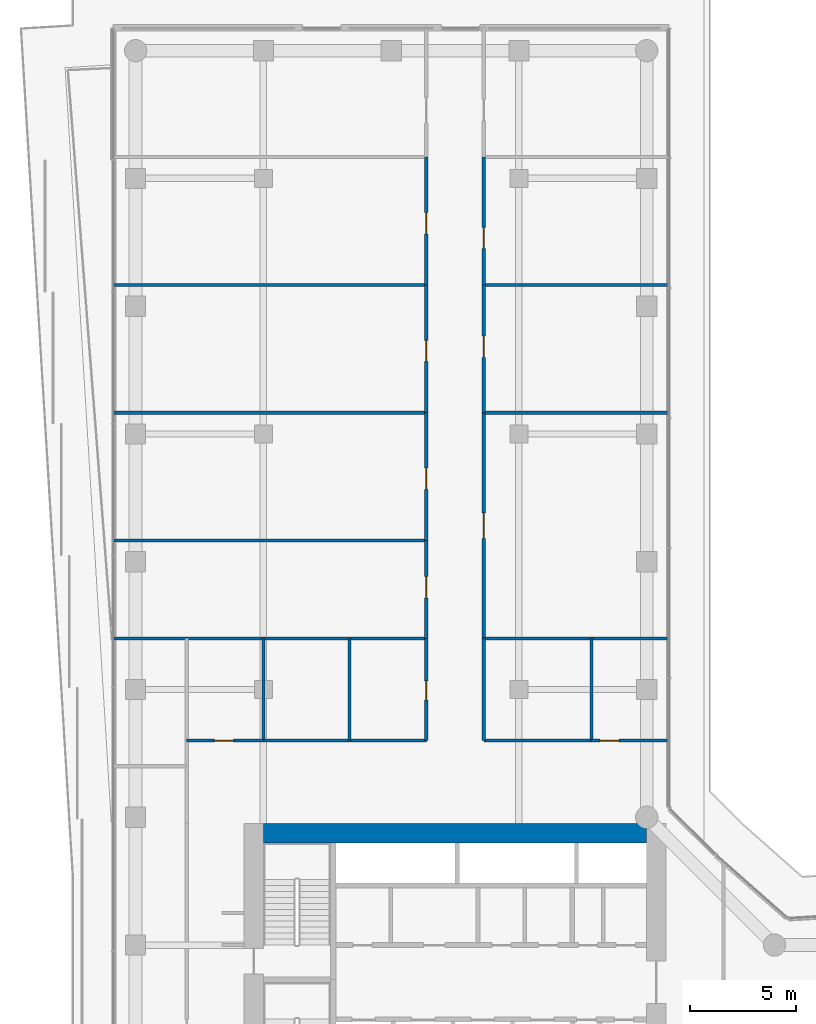
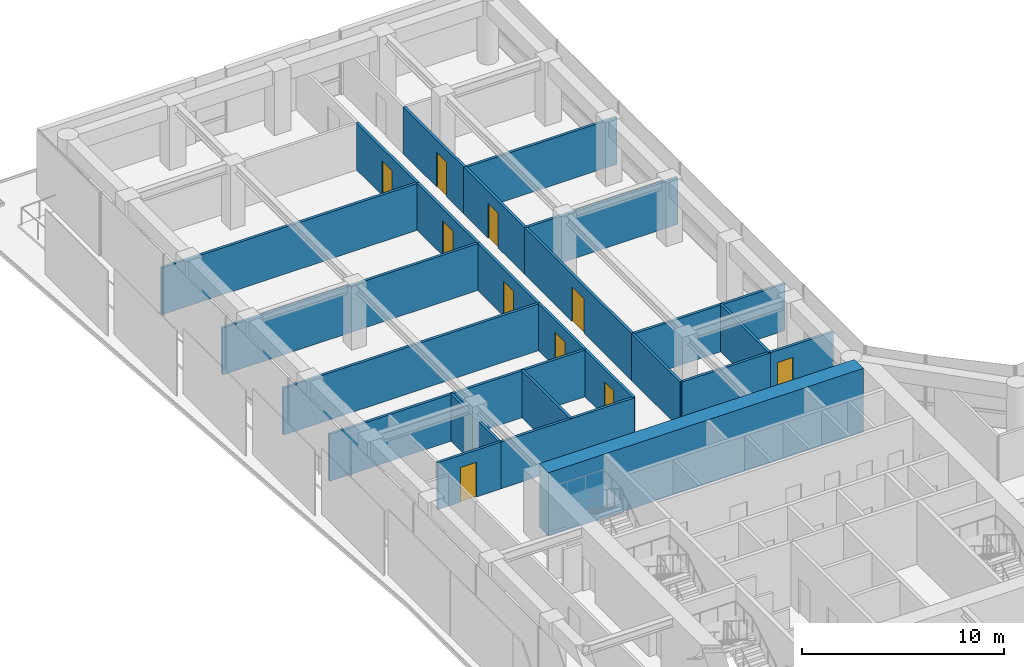
# One storey, part 25 of 29: 24 walls, 10 doors, 10 openings.
"""IFC4 building model written with IfcOpenShell, lengths in metres."""

import ifcopenshell
import ifcopenshell.guid

model = None  # the IFC model being written
_history = None  # IfcOwnerHistory: only IFC2X3 demands one
_inside = {}  # id of a spatial element -> (the spatial element, [elements in it])
_under = {}  # id of a project, library or spatial element -> (it, [spatial elements below it])
_declared = {}  # id of a project -> (the project, [libraries it declares])
_typed = {}  # id of a type object -> (the type object, [elements of that type])
_made_of = {}  # id of a material, layer set ... -> (it, [elements and type objects made of it])


def new_model(schema):
    """Start an empty IFC model of exactly this schema.

    Asked for "IFC4X3", IfcOpenShell would pick the latest addendum, in which some entities
    have other attributes; the version numbers below select the first issue.
    IFC2X3 requires an IfcOwnerHistory on every rooted entity: one is made here for all.
    """
    global model, _history
    if schema == "IFC4X3":
        model = ifcopenshell.file(schema_version=(4, 3, 0, 0))
    else:
        model = ifcopenshell.file(schema=schema)
    _inside.clear()
    _under.clear()
    _declared.clear()
    _typed.clear()
    _made_of.clear()
    _history = None
    if model.schema == "IFC2X3":
        org = make("IfcOrganization", Name="unknown")
        user = make(
            "IfcPersonAndOrganization",
            ThePerson=make("IfcPerson", FamilyName="unknown"),
            TheOrganization=org,
        )
        app = make(
            "IfcApplication",
            ApplicationDeveloper=org,
            Version="unknown",
            ApplicationFullName="unknown",
            ApplicationIdentifier="unknown",
        )
        _history = make(
            "IfcOwnerHistory",
            OwningUser=user,
            OwningApplication=app,
            ChangeAction="ADDED",
            CreationDate=0,
        )
    return model


def make(cls, **values):
    """One entity of the class cls with the attributes given. An attribute that is None is left unset."""
    return model.create_entity(
        cls, **{name: value for name, value in values.items() if value is not None}
    )


def rooted(cls, **values):
    """An entity with a GlobalId (a new one), such as an element, a storey or a relation."""
    return make(cls, GlobalId=ifcopenshell.guid.new(), OwnerHistory=_history, **values)


def si_unit(unit_type, name, prefix=None):
    """IfcSIUnit, for example si_unit("LENGTHUNIT", "METRE", prefix="MILLI")."""
    return make("IfcSIUnit", UnitType=unit_type, Prefix=prefix, Name=name)


def assignment(units):
    """IfcUnitAssignment: the units of a project."""
    return None if units is None else make("IfcUnitAssignment", Units=units)


def point(xyz):
    """IfcCartesianPoint."""
    return None if xyz is None else make("IfcCartesianPoint", Coordinates=xyz)


def direction(xyz):
    """IfcDirection."""
    return None if xyz is None else make("IfcDirection", DirectionRatios=xyz)


def frame(location, z_axis=None, x_axis=None):
    """IfcAxis2Placement3D, a coordinate frame: its origin and axes. An axis left out is left unset."""
    return make(
        "IfcAxis2Placement3D",
        Location=point(location),
        Axis=direction(z_axis),
        RefDirection=direction(x_axis),
    )


def frame_2d(location, x_axis=None):
    """IfcAxis2Placement2D, a coordinate frame in the plane: its origin and x axis."""
    return make(
        "IfcAxis2Placement2D", Location=point(location), RefDirection=direction(x_axis)
    )


def origin():
    """The frame at (0, 0, 0) with its axes left unset."""
    return frame((0.0, 0.0, 0.0))


def place(relative_to, where):
    """IfcLocalPlacement: puts the frame where relative to a parent placement (None: the world)."""
    return make(
        "IfcLocalPlacement", PlacementRelTo=relative_to, RelativePlacement=where
    )


def context(
    kind, dimensions, precision=None, world=None, true_north=None, identifier=None
):
    """IfcGeometricRepresentationContext, for example the 3D "Model" context."""
    return make(
        "IfcGeometricRepresentationContext",
        ContextIdentifier=identifier,
        ContextType=kind,
        CoordinateSpaceDimension=dimensions,
        Precision=precision,
        WorldCoordinateSystem=world,
        TrueNorth=true_north,
    )


def subcontext(parent, identifier, kind, view, scale=None):
    """IfcGeometricRepresentationSubContext, for example "Body" below "Model"."""
    return make(
        "IfcGeometricRepresentationSubContext",
        ContextIdentifier=identifier,
        ContextType=kind,
        ParentContext=parent,
        TargetScale=scale,
        TargetView=view,
    )


def project(units=None, contexts=None):
    """IfcProject with its units and contexts."""
    return rooted(
        "IfcProject",
        Name="project",
        RepresentationContexts=contexts,
        UnitsInContext=assignment(units),
    )


def spatial(cls, under=None, at=None, **own):
    """A site, building, storey or space (cls), placed at a placement, below another one or the project."""
    s = rooted(cls, ObjectPlacement=at, **own)
    if under is not None:
        _under.setdefault(under.id(), (under, []))[1].append(s)
    return s


def profile(cls, at=None, kind="AREA", **sizes):
    """A parametric profile (cls). Its sizes go by their IFC names, for example OverallWidth=200.0."""
    return make(cls, ProfileType=kind, Position=at, **sizes)


def rectangle(**sizes):
    """IfcRectangleProfileDef."""
    return profile("IfcRectangleProfileDef", **sizes)


def extrude(swept, where, along, depth):
    """IfcExtrudedAreaSolid: the profile swept, set in the frame where, extruded along a direction by depth."""
    return make(
        "IfcExtrudedAreaSolid",
        SweptArea=swept,
        Position=where,
        ExtrudedDirection=direction(along),
        Depth=depth,
    )


def shape(context_of_items, identifier, shape_type, items):
    """IfcShapeRepresentation: the items that make up one representation, for example the "Body"."""
    return make(
        "IfcShapeRepresentation",
        ContextOfItems=context_of_items,
        RepresentationIdentifier=identifier,
        RepresentationType=shape_type,
        Items=items,
    )


def material(Name=None, Category=None):
    """IfcMaterial."""
    return make("IfcMaterial", Name=Name, Category=Category)


def layer(
    of_material, thickness, ventilated=None, Name=None, Category=None, Priority=None
):
    """IfcMaterialLayer: one layer of a wall or slab, of a material (None: an air gap)."""
    return make(
        "IfcMaterialLayer",
        Material=of_material,
        LayerThickness=thickness,
        IsVentilated=ventilated,
        Name=Name,
        Category=Category,
        Priority=Priority,
    )


def layer_set(layers, Name=None):
    """IfcMaterialLayerSet."""
    return make("IfcMaterialLayerSet", MaterialLayers=layers, LayerSetName=Name)


def made_of(thing, what):
    """Note that an element or type object is made of a material, layer set ...; save() writes the relation."""
    if what is not None:
        _made_of.setdefault(what.id(), (what, []))[1].append(thing)
    return thing


def type_object(cls, material=None, **own):
    """A type object (cls), such as IfcWallType, which elements share."""
    return made_of(rooted(cls, **own), material)


def element(
    cls,
    number,
    at=None,
    inside=None,
    cuts=None,
    type_object=None,
    material=None,
    context=None,
    identifier="Body",
    shape_type=None,
    held_by="IfcProductDefinitionShape",
    body=None,
    shapes=None,
    **own,
):
    """One element of the class cls, such as IfcWall. Its Tag is "e" and its number.

    at: its placement. inside: the storey or other place that contains it. cuts: it is an
    opening in that element (IfcRelVoidsElement). A single representation is given by context,
    identifier, shape_type and body (its items); several are given by shapes. held_by: the class
    of the entity that holds the representations. save() writes the other relations.
    """
    e = rooted(cls, Tag="e%d" % number, ObjectPlacement=at, **own)
    if body is not None:
        shapes = [shape(context, identifier, shape_type, body)]
    if shapes is not None:
        e.Representation = make(held_by, Representations=shapes)
    if inside is not None:
        _inside.setdefault(inside.id(), (inside, []))[1].append(e)
    if cuts is not None:
        rooted(
            "IfcRelVoidsElement", RelatingBuildingElement=cuts, RelatedOpeningElement=e
        )
    if type_object is not None:
        _typed.setdefault(type_object.id(), (type_object, []))[1].append(e)
    return made_of(e, material)


def fill(opening, filler):
    """IfcRelFillsElement: the door or window that sits in an opening."""
    return rooted(
        "IfcRelFillsElement",
        RelatingOpeningElement=opening,
        RelatedBuildingElement=filler,
    )


def aggregate(whole, parts):
    """IfcRelAggregates: a whole, such as a stair, and the parts it consists of."""
    return rooted("IfcRelAggregates", RelatingObject=whole, RelatedObjects=parts)


def save(model, path):
    """Write the relations noted so far, then the file.

    IfcRelAggregates (storeys below a building ...), IfcRelContainedInSpatialStructure (elements
    in a storey), IfcRelDefinesByType, IfcRelAssociatesMaterial and IfcRelDeclares: one each for
    every whole, place, type object, material and project.
    """
    for whole, parts in _under.values():
        aggregate(whole, parts)
    for where, things in _inside.values():
        rooted(
            "IfcRelContainedInSpatialStructure",
            RelatedElements=things,
            RelatingStructure=where,
        )
    for kind, things in _typed.values():
        rooted("IfcRelDefinesByType", RelatedObjects=things, RelatingType=kind)
    for what, things in _made_of.values():
        rooted("IfcRelAssociatesMaterial", RelatedObjects=things, RelatingMaterial=what)
    for by, libraries in _declared.values():
        rooted("IfcRelDeclares", RelatingContext=by, RelatedDefinitions=libraries)
    model.write(path)


model = new_model("IFC4")

# Units and contexts
model_context = context("Model", 3, precision=1e-05, world=origin(), true_north=direction((0.0, 1.0)))
body_context = subcontext(model_context, "Body", "Model", "MODEL_VIEW")
ifc_project = project(units=[si_unit("LENGTHUNIT", "METRE"), si_unit("AREAUNIT", "SQUARE_METRE"), si_unit("VOLUMEUNIT", "CUBIC_METRE"), si_unit("PLANEANGLEUNIT", "RADIAN"), si_unit("MASSUNIT", "GRAM", prefix="KILO")], contexts=[model_context])

# Site, building, storey
site_placement = place(None, origin())
site = spatial("IfcSite", under=ifc_project, at=site_placement, CompositionType="ELEMENT")
building_placement = place(site_placement, origin())
building = spatial("IfcBuilding", under=site, at=building_placement, Name="Welwitschia Terrace Campus", CompositionType="ELEMENT")
storey_placement = place(building_placement, frame((0.0, 0.0, 66.800048828125)))
storey = spatial("IfcBuildingStorey", under=building, at=storey_placement, Name="L15", CompositionType="ELEMENT", Elevation=66.800048828125)

# Walls
ifc_material_1 = material(Name="Concrete C70/85", Category="concrete")
ifc_layer_1 = layer(ifc_material_1, 0.89990234375)
ifc_layer_set_1 = layer_set([ifc_layer_1], Name="Concrete C70/85")
wall_type_1 = type_object("IfcWallType", Name="Core wall 900 Concrete C70/85", PredefinedType="SHEAR", material=ifc_layer_set_1)
wall_1_placement = place(storey_placement, frame((6.0, 25.25, 0.0), z_axis=(0.0, 0.0, 1.0), x_axis=(1.0, 0.0, 0.0)))
element("IfcWall", 1, at=wall_1_placement, inside=storey, type_object=wall_type_1, Name="Core outer wall", PredefinedType="SHEAR", context=body_context, shape_type="SweptSolid", body=[
    extrude(rectangle(XDim=18.0, YDim=0.89990234375, at=frame_2d((9.0, 0.0))), origin(), (0.0, 0.0, 1.0), 3.849853515625),
])
ifc_material_2 = material(Name="Gypsum board on steel studs", Category="steel")
ifc_layer_2 = layer(ifc_material_2, 0.14990234375)
ifc_layer_set_2 = layer_set([ifc_layer_2], Name="Gypsum board on steel studs")
wall_type_2 = type_object("IfcWallType", Name="Corridor partition 150 EI 30", PredefinedType="PARTITIONING", material=ifc_layer_set_2)
for number, where, z_axis, x_axis, name in (
    (2, (-1.010009765625, 34.39990234375, 0.0), (0.0, 0.0, 1.0), (1.0, 0.0, 0.0), "Partition"),
    (3, (-1.010009765625, 39.0, 0.0), (0.0, 0.0, 1.0), (1.0, 0.0, 0.0), "Partition"),
    (4, (-1.010009765625, 45.0, 0.0), (0.0, 0.0, 1.0), (1.0, 0.0, 0.0), "Partition"),
    (5, (-1.010009765625, 51.0, 0.0), (0.0, 0.0, 1.0), (1.0, 0.0, 0.0), "Partition"),
):
    element("IfcWall", number, at=place(storey_placement, frame(where, z_axis=z_axis, x_axis=x_axis)), inside=storey, type_object=wall_type_2, Name=name, PredefinedType="PARTITIONING", context=body_context, shape_type="SweptSolid", body=[
        extrude(rectangle(XDim=14.659912109375, YDim=0.14990234375, at=frame_2d((7.330078125, 0.0))), origin(), (0.0, 0.0, 1.0), 2.829833984375),
    ])

# Wall, opening, door
wall_2_placement = place(storey_placement, frame((2.39990234375, 29.60009765625, 0.0), z_axis=(0.0, 0.0, 1.0), x_axis=(1.0, 0.0, 0.0)))
wall_2 = element("IfcWall", 6, at=wall_2_placement, inside=storey, type_object=wall_type_2, Name="Partition", PredefinedType="PARTITIONING", context=body_context, shape_type="SweptSolid", body=[
    extrude(rectangle(XDim=3.60009765625, YDim=0.14990234375, at=frame_2d((1.800048828125, 0.0))), origin(), (0.0, 0.0, 1.0), 2.829833984375),
])
opening_1_placement = place(wall_2_placement, frame((1.300048828125, 0.0, 0.0)))
opening_1 = element("IfcOpeningElement", 7, at=opening_1_placement, cuts=wall_2, Name="Opening DI09", PredefinedType="OPENING", context=body_context, shape_type="SweptSolid", body=[
    extrude(rectangle(XDim=0.89990234375, YDim=2.10009765625, at=frame_2d((0.449951171875, 1.050048828125))), frame((0.0, 0.0849609375, 0.0), z_axis=(0.0, -1.0, 0.0), x_axis=(1.0, 0.0, 0.0)), (0.0, 0.0, 1.0), 0.169921875),
])
ifc_material_3 = material(Name="Timber veneered door", Category="wood")
door_type_1 = type_object("IfcDoorType", Name="Interior door DI09", OperationType="NOTDEFINED", PredefinedType="DOOR", material=ifc_material_3)
door_1_placement = place(opening_1_placement, origin())
door_1 = element("IfcDoor", 8, at=door_1_placement, inside=storey, type_object=door_type_1, Name="Door L15 336", OperationType="SINGLE_SWING_LEFT", OverallHeight=2.10009765625, OverallWidth=0.89990234375, PredefinedType="DOOR", context=body_context, shape_type="SweptSolid", body=[
    extrude(rectangle(XDim=0.89990234375, YDim=2.10009765625, at=frame_2d((0.449951171875, 1.050048828125))), frame((0.0, 0.02490234375, 0.0), z_axis=(0.0, -1.0, 0.0), x_axis=(1.0, 0.0, 0.0)), (0.0, 0.0, 1.0), 0.050048828125),
])
fill(opening_1, door_1)

# Walls
wall_3_placement = place(storey_placement, frame((6.0, 29.60009765625, 0.0), z_axis=(0.0, 0.0, 1.0), x_axis=(0.0, 1.0, 0.0)))
element("IfcWall", 9, at=wall_3_placement, inside=storey, type_object=wall_type_2, Name="Partition", PredefinedType="PARTITIONING", context=body_context, shape_type="SweptSolid", body=[
    extrude(rectangle(XDim=4.7998046875, YDim=0.14990234375, at=frame_2d((2.39990234375, 0.0))), origin(), (0.0, 0.0, 1.0), 2.829833984375),
])
wall_4_placement = place(storey_placement, frame((6.0, 29.60009765625, 0.0), z_axis=(0.0, 0.0, 1.0), x_axis=(1.0, 0.0, 0.0)))
element("IfcWall", 10, at=wall_4_placement, inside=storey, type_object=wall_type_2, Name="Partition", PredefinedType="PARTITIONING", context=body_context, shape_type="SweptSolid", body=[
    extrude(rectangle(XDim=7.64990234375, YDim=0.14990234375, at=frame_2d((3.824951171875, 0.0))), origin(), (0.0, 0.0, 1.0), 2.829833984375),
])
wall_5_placement = place(storey_placement, frame((10.050048828125, 29.60009765625, 0.0), z_axis=(0.0, 0.0, 1.0), x_axis=(0.0, 1.0, 0.0)))
element("IfcWall", 11, at=wall_5_placement, inside=storey, type_object=wall_type_2, Name="Partition", PredefinedType="PARTITIONING", context=body_context, shape_type="SweptSolid", body=[
    extrude(rectangle(XDim=4.7998046875, YDim=0.14990234375, at=frame_2d((2.39990234375, 0.0))), origin(), (0.0, 0.0, 1.0), 2.829833984375),
])

# Wall, opening, door
wall_6_placement = place(storey_placement, frame((13.64990234375, 29.60009765625, 0.0), z_axis=(0.0, 0.0, 1.0), x_axis=(0.0, 1.0, 0.0)))
wall_6 = element("IfcWall", 12, at=wall_6_placement, inside=storey, type_object=wall_type_2, Name="Partition", PredefinedType="PARTITIONING", context=body_context, shape_type="SweptSolid", body=[
    extrude(rectangle(XDim=4.7998046875, YDim=0.14990234375, at=frame_2d((2.39990234375, 0.0))), origin(), (0.0, 0.0, 1.0), 2.829833984375),
])
opening_2_placement = place(wall_6_placement, frame((1.89990234375, 0.0, 0.0)))
opening_2 = element("IfcOpeningElement", 13, at=opening_2_placement, cuts=wall_6, Name="Opening DI09", PredefinedType="OPENING", context=body_context, shape_type="SweptSolid", body=[
    extrude(rectangle(XDim=0.89990234375, YDim=2.10009765625, at=frame_2d((0.449951171875, 1.050048828125))), frame((0.0, 0.0849609375, 0.0), z_axis=(0.0, -1.0, 0.0), x_axis=(1.0, 0.0, 0.0)), (0.0, 0.0, 1.0), 0.169921875),
])
door_2_placement = place(opening_2_placement, origin())
door_2 = element("IfcDoor", 14, at=door_2_placement, inside=storey, type_object=door_type_1, Name="Door L15 337", OperationType="SINGLE_SWING_RIGHT", OverallHeight=2.10009765625, OverallWidth=0.89990234375, PredefinedType="DOOR", context=body_context, shape_type="SweptSolid", body=[
    extrude(rectangle(XDim=0.89990234375, YDim=2.10009765625, at=frame_2d((0.449951171875, 1.050048828125))), frame((0.0, 0.02490234375, 0.0), z_axis=(0.0, -1.0, 0.0), x_axis=(1.0, 0.0, 0.0)), (0.0, 0.0, 1.0), 0.050048828125),
])
fill(opening_2, door_2)

wall_7_placement = place(storey_placement, frame((13.64990234375, 34.39990234375, 0.0), z_axis=(0.0, 0.0, 1.0), x_axis=(0.0, 1.0, 0.0)))
wall_7 = element("IfcWall", 15, at=wall_7_placement, inside=storey, type_object=wall_type_2, Name="Partition", PredefinedType="PARTITIONING", context=body_context, shape_type="SweptSolid", body=[
    extrude(rectangle(XDim=4.60009765625, YDim=0.14990234375, at=frame_2d((2.300048828125, 0.0))), origin(), (0.0, 0.0, 1.0), 2.829833984375),
])
opening_3_placement = place(wall_7_placement, frame((1.89990234375, 0.0, 0.0)))
opening_3 = element("IfcOpeningElement", 16, at=opening_3_placement, cuts=wall_7, Name="Opening DI10", PredefinedType="OPENING", context=body_context, shape_type="SweptSolid", body=[
    extrude(rectangle(XDim=1.0, YDim=2.10009765625, at=frame_2d((0.5, 1.050048828125))), frame((0.0, 0.0849609375, 0.0), z_axis=(0.0, -1.0, 0.0), x_axis=(1.0, 0.0, 0.0)), (0.0, 0.0, 1.0), 0.169921875),
])
ifc_material_4 = material(Name="Timber veneered door", Category="wood")
door_type_2 = type_object("IfcDoorType", Name="Interior door DI10", OperationType="NOTDEFINED", PredefinedType="DOOR", material=ifc_material_4)
door_3_placement = place(opening_3_placement, origin())
door_3 = element("IfcDoor", 17, at=door_3_placement, inside=storey, type_object=door_type_2, Name="Door L15 338", OperationType="SINGLE_SWING_LEFT", OverallHeight=2.10009765625, OverallWidth=1.0, PredefinedType="DOOR", context=body_context, shape_type="SweptSolid", body=[
    extrude(rectangle(XDim=1.0, YDim=2.10009765625, at=frame_2d((0.5, 1.050048828125))), frame((0.0, 0.02490234375, 0.0), z_axis=(0.0, -1.0, 0.0), x_axis=(1.0, 0.0, 0.0)), (0.0, 0.0, 1.0), 0.050048828125),
])
fill(opening_3, door_3)

wall_8_placement = place(storey_placement, frame((13.64990234375, 39.0, 0.0), z_axis=(0.0, 0.0, 1.0), x_axis=(0.0, 1.0, 0.0)))
wall_8 = element("IfcWall", 18, at=wall_8_placement, inside=storey, type_object=wall_type_2, Name="Partition", PredefinedType="PARTITIONING", context=body_context, shape_type="SweptSolid", body=[
    extrude(rectangle(XDim=6.0, YDim=0.14990234375, at=frame_2d((3.0, 0.0))), origin(), (0.0, 0.0, 1.0), 2.829833984375),
])
opening_4_placement = place(wall_8_placement, frame((2.39990234375, 0.0, 0.0)))
opening_4 = element("IfcOpeningElement", 19, at=opening_4_placement, cuts=wall_8, Name="Opening DI10", PredefinedType="OPENING", context=body_context, shape_type="SweptSolid", body=[
    extrude(rectangle(XDim=1.0, YDim=2.10009765625, at=frame_2d((0.5, 1.050048828125))), frame((0.0, 0.0849609375, 0.0), z_axis=(0.0, -1.0, 0.0), x_axis=(1.0, 0.0, 0.0)), (0.0, 0.0, 1.0), 0.169921875),
])
door_4_placement = place(opening_4_placement, origin())
door_4 = element("IfcDoor", 20, at=door_4_placement, inside=storey, type_object=door_type_2, Name="Door L15 339", OperationType="SINGLE_SWING_RIGHT", OverallHeight=2.10009765625, OverallWidth=1.0, PredefinedType="DOOR", context=body_context, shape_type="SweptSolid", body=[
    extrude(rectangle(XDim=1.0, YDim=2.10009765625, at=frame_2d((0.5, 1.050048828125))), frame((0.0, 0.02490234375, 0.0), z_axis=(0.0, -1.0, 0.0), x_axis=(1.0, 0.0, 0.0)), (0.0, 0.0, 1.0), 0.050048828125),
])
fill(opening_4, door_4)

wall_9_placement = place(storey_placement, frame((13.64990234375, 45.0, 0.0), z_axis=(0.0, 0.0, 1.0), x_axis=(0.0, 1.0, 0.0)))
wall_9 = element("IfcWall", 21, at=wall_9_placement, inside=storey, type_object=wall_type_2, Name="Partition", PredefinedType="PARTITIONING", context=body_context, shape_type="SweptSolid", body=[
    extrude(rectangle(XDim=6.0, YDim=0.14990234375, at=frame_2d((3.0, 0.0))), origin(), (0.0, 0.0, 1.0), 2.829833984375),
])
opening_5_placement = place(wall_9_placement, frame((2.39990234375, 0.0, 0.0)))
opening_5 = element("IfcOpeningElement", 22, at=opening_5_placement, cuts=wall_9, Name="Opening DI10", PredefinedType="OPENING", context=body_context, shape_type="SweptSolid", body=[
    extrude(rectangle(XDim=1.0, YDim=2.10009765625, at=frame_2d((0.5, 1.050048828125))), frame((0.0, 0.0849609375, 0.0), z_axis=(0.0, -1.0, 0.0), x_axis=(1.0, 0.0, 0.0)), (0.0, 0.0, 1.0), 0.169921875),
])
door_5_placement = place(opening_5_placement, origin())
door_5 = element("IfcDoor", 23, at=door_5_placement, inside=storey, type_object=door_type_2, Name="Door L15 340", OperationType="SINGLE_SWING_LEFT", OverallHeight=2.10009765625, OverallWidth=1.0, PredefinedType="DOOR", context=body_context, shape_type="SweptSolid", body=[
    extrude(rectangle(XDim=1.0, YDim=2.10009765625, at=frame_2d((0.5, 1.050048828125))), frame((0.0, 0.02490234375, 0.0), z_axis=(0.0, -1.0, 0.0), x_axis=(1.0, 0.0, 0.0)), (0.0, 0.0, 1.0), 0.050048828125),
])
fill(opening_5, door_5)

wall_10_placement = place(storey_placement, frame((13.64990234375, 51.0, 0.0), z_axis=(0.0, 0.0, 1.0), x_axis=(0.0, 1.0, 0.0)))
wall_10 = element("IfcWall", 24, at=wall_10_placement, inside=storey, type_object=wall_type_2, Name="Partition", PredefinedType="PARTITIONING", context=body_context, shape_type="SweptSolid", body=[
    extrude(rectangle(XDim=6.0, YDim=0.14990234375, at=frame_2d((3.0, 0.0))), origin(), (0.0, 0.0, 1.0), 2.829833984375),
])
opening_6_placement = place(wall_10_placement, frame((2.39990234375, 0.0, 0.0)))
opening_6 = element("IfcOpeningElement", 25, at=opening_6_placement, cuts=wall_10, Name="Opening DI10", PredefinedType="OPENING", context=body_context, shape_type="SweptSolid", body=[
    extrude(rectangle(XDim=1.0, YDim=2.10009765625, at=frame_2d((0.5, 1.050048828125))), frame((0.0, 0.0849609375, 0.0), z_axis=(0.0, -1.0, 0.0), x_axis=(1.0, 0.0, 0.0)), (0.0, 0.0, 1.0), 0.169921875),
])
door_6_placement = place(opening_6_placement, origin())
door_6 = element("IfcDoor", 26, at=door_6_placement, inside=storey, type_object=door_type_2, Name="Door L15 341", OperationType="SINGLE_SWING_RIGHT", OverallHeight=2.10009765625, OverallWidth=1.0, PredefinedType="DOOR", context=body_context, shape_type="SweptSolid", body=[
    extrude(rectangle(XDim=1.0, YDim=2.10009765625, at=frame_2d((0.5, 1.050048828125))), frame((0.0, 0.02490234375, 0.0), z_axis=(0.0, -1.0, 0.0), x_axis=(1.0, 0.0, 0.0)), (0.0, 0.0, 1.0), 0.050048828125),
])
fill(opening_6, door_6)

# Walls
wall_11_placement = place(storey_placement, frame((16.35009765625, 29.60009765625, 0.0), z_axis=(0.0, 0.0, 1.0), x_axis=(0.0, 1.0, 0.0)))
element("IfcWall", 27, at=wall_11_placement, inside=storey, type_object=wall_type_2, Name="Partition", PredefinedType="PARTITIONING", context=body_context, shape_type="SweptSolid", body=[
    extrude(rectangle(XDim=4.7998046875, YDim=0.14990234375, at=frame_2d((2.39990234375, 0.0))), origin(), (0.0, 0.0, 1.0), 2.829833984375),
])
wall_12_placement = place(storey_placement, frame((16.35009765625, 29.60009765625, 0.0), z_axis=(0.0, 0.0, 1.0), x_axis=(1.0, 0.0, 0.0)))
element("IfcWall", 28, at=wall_12_placement, inside=storey, type_object=wall_type_2, Name="Partition", PredefinedType="PARTITIONING", context=body_context, shape_type="SweptSolid", body=[
    extrude(rectangle(XDim=5.059814453125, YDim=0.14990234375, at=frame_2d((2.52978515625, 0.0))), origin(), (0.0, 0.0, 1.0), 2.829833984375),
])
wall_13_placement = place(storey_placement, frame((16.35009765625, 34.39990234375, 0.0), z_axis=(0.0, 0.0, 1.0), x_axis=(1.0, 0.0, 0.0)))
element("IfcWall", 29, at=wall_13_placement, inside=storey, type_object=wall_type_2, Name="Partition", PredefinedType="PARTITIONING", context=body_context, shape_type="SweptSolid", body=[
    extrude(rectangle(XDim=8.659912109375, YDim=0.14990234375, at=frame_2d((4.330078125, 0.0))), origin(), (0.0, 0.0, 1.0), 2.829833984375),
])

# Wall, opening, door
wall_14_placement = place(storey_placement, frame((16.35009765625, 45.0, 0.0), z_axis=(0.0, 0.0, 1.0), x_axis=(0.0, -1.0, 0.0)))
wall_14 = element("IfcWall", 30, at=wall_14_placement, inside=storey, type_object=wall_type_2, Name="Partition", PredefinedType="PARTITIONING", context=body_context, shape_type="SweptSolid", body=[
    extrude(rectangle(XDim=10.60009765625, YDim=0.14990234375, at=frame_2d((5.300048828125, 0.0))), origin(), (0.0, 0.0, 1.0), 2.829833984375),
])
opening_7_placement = place(wall_14_placement, frame((4.699951171875, 0.0, 0.0)))
opening_7 = element("IfcOpeningElement", 31, at=opening_7_placement, cuts=wall_14, Name="Opening DI12", PredefinedType="OPENING", context=body_context, shape_type="SweptSolid", body=[
    extrude(rectangle(XDim=1.199951171875, YDim=2.10009765625, at=frame_2d((0.60009765625, 1.050048828125))), frame((0.0, 0.0849609375, 0.0), z_axis=(0.0, -1.0, 0.0), x_axis=(1.0, 0.0, 0.0)), (0.0, 0.0, 1.0), 0.169921875),
])
ifc_material_5 = material(Name="Timber veneered door", Category="wood")
door_type_3 = type_object("IfcDoorType", Name="Interior door DI12", OperationType="NOTDEFINED", PredefinedType="DOOR", material=ifc_material_5)
door_7_placement = place(opening_7_placement, origin())
door_7 = element("IfcDoor", 32, at=door_7_placement, inside=storey, type_object=door_type_3, Name="Door L15 343", OperationType="SINGLE_SWING_RIGHT", OverallHeight=2.10009765625, OverallWidth=1.199951171875, PredefinedType="DOOR", context=body_context, shape_type="SweptSolid", body=[
    extrude(rectangle(XDim=1.199951171875, YDim=2.10009765625, at=frame_2d((0.60009765625, 1.050048828125))), frame((0.0, 0.02490234375, 0.0), z_axis=(0.0, -1.0, 0.0), x_axis=(1.0, 0.0, 0.0)), (0.0, 0.0, 1.0), 0.050048828125),
])
fill(opening_7, door_7)

# Wall
wall_15_placement = place(storey_placement, frame((16.35009765625, 45.0, 0.0), z_axis=(0.0, 0.0, 1.0), x_axis=(1.0, 0.0, 0.0)))
element("IfcWall", 33, at=wall_15_placement, inside=storey, type_object=wall_type_2, Name="Partition", PredefinedType="PARTITIONING", context=body_context, shape_type="SweptSolid", body=[
    extrude(rectangle(XDim=8.659912109375, YDim=0.14990234375, at=frame_2d((4.330078125, 0.0))), origin(), (0.0, 0.0, 1.0), 2.829833984375),
])

# Wall, opening, door
wall_16_placement = place(storey_placement, frame((16.35009765625, 51.0, 0.0), z_axis=(0.0, 0.0, 1.0), x_axis=(0.0, -1.0, 0.0)))
wall_16 = element("IfcWall", 34, at=wall_16_placement, inside=storey, type_object=wall_type_2, Name="Partition", PredefinedType="PARTITIONING", context=body_context, shape_type="SweptSolid", body=[
    extrude(rectangle(XDim=6.0, YDim=0.14990234375, at=frame_2d((3.0, 0.0))), origin(), (0.0, 0.0, 1.0), 2.829833984375),
])
opening_8_placement = place(wall_16_placement, frame((2.39990234375, 0.0, 0.0)))
opening_8 = element("IfcOpeningElement", 35, at=opening_8_placement, cuts=wall_16, Name="Opening DI10", PredefinedType="OPENING", context=body_context, shape_type="SweptSolid", body=[
    extrude(rectangle(XDim=1.0, YDim=2.10009765625, at=frame_2d((0.5, 1.050048828125))), frame((0.0, 0.0849609375, 0.0), z_axis=(0.0, -1.0, 0.0), x_axis=(1.0, 0.0, 0.0)), (0.0, 0.0, 1.0), 0.169921875),
])
door_8_placement = place(opening_8_placement, origin())
door_8 = element("IfcDoor", 36, at=door_8_placement, inside=storey, type_object=door_type_2, Name="Door L15 344", OperationType="SINGLE_SWING_LEFT", OverallHeight=2.10009765625, OverallWidth=1.0, PredefinedType="DOOR", context=body_context, shape_type="SweptSolid", body=[
    extrude(rectangle(XDim=1.0, YDim=2.10009765625, at=frame_2d((0.5, 1.050048828125))), frame((0.0, 0.02490234375, 0.0), z_axis=(0.0, -1.0, 0.0), x_axis=(1.0, 0.0, 0.0)), (0.0, 0.0, 1.0), 0.050048828125),
])
fill(opening_8, door_8)

# Wall
wall_17_placement = place(storey_placement, frame((16.35009765625, 51.0, 0.0), z_axis=(0.0, 0.0, 1.0), x_axis=(1.0, 0.0, 0.0)))
element("IfcWall", 37, at=wall_17_placement, inside=storey, type_object=wall_type_2, Name="Partition", PredefinedType="PARTITIONING", context=body_context, shape_type="SweptSolid", body=[
    extrude(rectangle(XDim=8.659912109375, YDim=0.14990234375, at=frame_2d((4.330078125, 0.0))), origin(), (0.0, 0.0, 1.0), 2.829833984375),
])

# Wall, opening, door
wall_18_placement = place(storey_placement, frame((16.35009765625, 57.0, 0.0), z_axis=(0.0, 0.0, 1.0), x_axis=(0.0, -1.0, 0.0)))
wall_18 = element("IfcWall", 38, at=wall_18_placement, inside=storey, type_object=wall_type_2, Name="Partition", PredefinedType="PARTITIONING", context=body_context, shape_type="SweptSolid", body=[
    extrude(rectangle(XDim=6.0, YDim=0.14990234375, at=frame_2d((3.0, 0.0))), origin(), (0.0, 0.0, 1.0), 2.829833984375),
])
opening_9_placement = place(wall_18_placement, frame((3.300048828125, 0.0, 0.0)))
opening_9 = element("IfcOpeningElement", 39, at=opening_9_placement, cuts=wall_18, Name="Opening DI10", PredefinedType="OPENING", context=body_context, shape_type="SweptSolid", body=[
    extrude(rectangle(XDim=1.0, YDim=2.10009765625, at=frame_2d((0.5, 1.050048828125))), frame((0.0, 0.0849609375, 0.0), z_axis=(0.0, -1.0, 0.0), x_axis=(1.0, 0.0, 0.0)), (0.0, 0.0, 1.0), 0.169921875),
])
door_9_placement = place(opening_9_placement, origin())
door_9 = element("IfcDoor", 40, at=door_9_placement, inside=storey, type_object=door_type_2, Name="Door L15 345", OperationType="SINGLE_SWING_RIGHT", OverallHeight=2.10009765625, OverallWidth=1.0, PredefinedType="DOOR", context=body_context, shape_type="SweptSolid", body=[
    extrude(rectangle(XDim=1.0, YDim=2.10009765625, at=frame_2d((0.5, 1.050048828125))), frame((0.0, 0.02490234375, 0.0), z_axis=(0.0, -1.0, 0.0), x_axis=(1.0, 0.0, 0.0)), (0.0, 0.0, 1.0), 0.050048828125),
])
fill(opening_9, door_9)

# Wall
wall_19_placement = place(storey_placement, frame((21.409912109375, 29.60009765625, 0.0), z_axis=(0.0, 0.0, 1.0), x_axis=(0.0, 1.0, 0.0)))
element("IfcWall", 41, at=wall_19_placement, inside=storey, type_object=wall_type_2, Name="Partition", PredefinedType="PARTITIONING", context=body_context, shape_type="SweptSolid", body=[
    extrude(rectangle(XDim=4.7998046875, YDim=0.14990234375, at=frame_2d((2.39990234375, 0.0))), origin(), (0.0, 0.0, 1.0), 2.829833984375),
])

# Wall, opening, door
wall_20_placement = place(storey_placement, frame((21.409912109375, 29.60009765625, 0.0), z_axis=(0.0, 0.0, 1.0), x_axis=(1.0, 0.0, 0.0)))
wall_20 = element("IfcWall", 42, at=wall_20_placement, inside=storey, type_object=wall_type_2, Name="Partition", PredefinedType="PARTITIONING", context=body_context, shape_type="SweptSolid", body=[
    extrude(rectangle(XDim=3.60009765625, YDim=0.14990234375, at=frame_2d((1.800048828125, 0.0))), origin(), (0.0, 0.0, 1.0), 2.829833984375),
])
opening_10_placement = place(wall_20_placement, frame((0.39990234375, 0.0, 0.0)))
opening_10 = element("IfcOpeningElement", 43, at=opening_10_placement, cuts=wall_20, Name="Opening DI09", PredefinedType="OPENING", context=body_context, shape_type="SweptSolid", body=[
    extrude(rectangle(XDim=0.89990234375, YDim=2.10009765625, at=frame_2d((0.449951171875, 1.050048828125))), frame((0.0, 0.0849609375, 0.0), z_axis=(0.0, -1.0, 0.0), x_axis=(1.0, 0.0, 0.0)), (0.0, 0.0, 1.0), 0.169921875),
])
door_10_placement = place(opening_10_placement, origin())
door_10 = element("IfcDoor", 44, at=door_10_placement, inside=storey, type_object=door_type_1, Name="Door L15 347", OperationType="SINGLE_SWING_RIGHT", OverallHeight=2.10009765625, OverallWidth=0.89990234375, PredefinedType="DOOR", context=body_context, shape_type="SweptSolid", body=[
    extrude(rectangle(XDim=0.89990234375, YDim=2.10009765625, at=frame_2d((0.449951171875, 1.050048828125))), frame((0.0, 0.02490234375, 0.0), z_axis=(0.0, -1.0, 0.0), x_axis=(1.0, 0.0, 0.0)), (0.0, 0.0, 1.0), 0.050048828125),
])
fill(opening_10, door_10)

save(model, "model.ifc")
